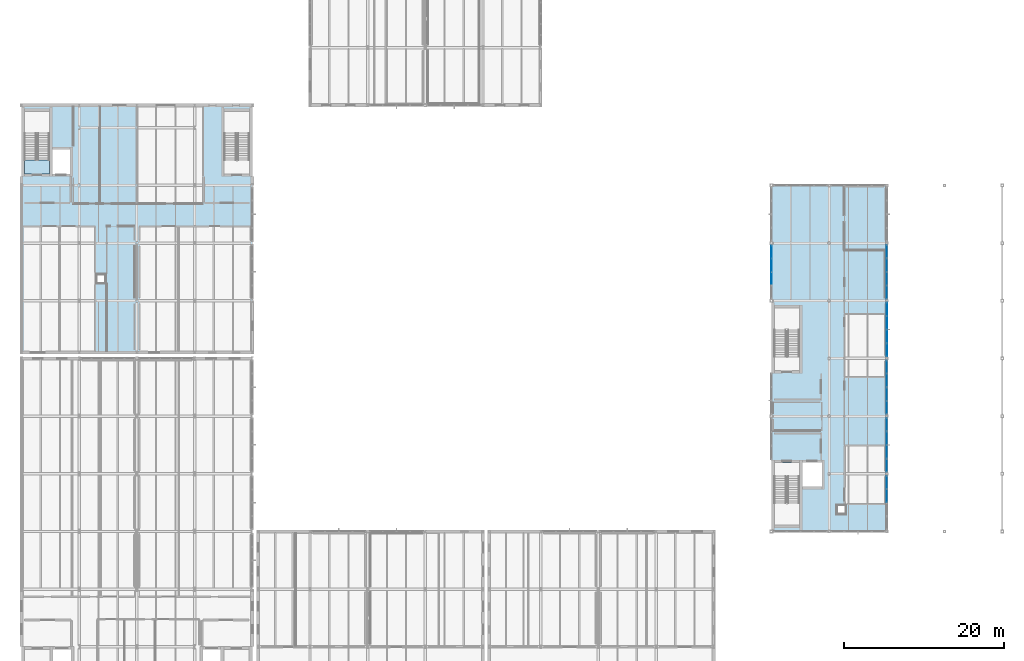
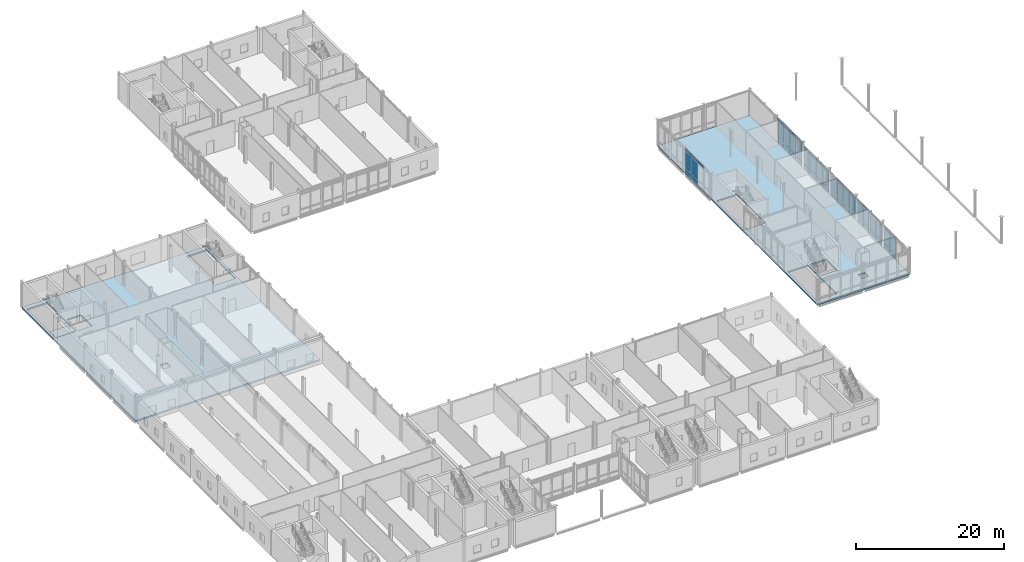
# One storey, part 39 of 76: 61 plates, 3 slabs, 6 elements without a shape of their own.
"""IFC4 building model written with IfcOpenShell, lengths in metres."""

from ifc_helpers import new_model, si_unit, direction, frame, origin, origin_2d, place, context, subcontext, project, spatial, polyline, rectangle, outline, extrude, material, layer, layer_set, type_object, element, aggregate, save


model = new_model("IFC4")

# Units and contexts
model_context = context("Model", 3, precision=1e-05, world=origin(), true_north=direction((0.0, 1.0)))
body_context = subcontext(model_context, "Body", "Model", "MODEL_VIEW")
ifc_project = project(units=[si_unit("LENGTHUNIT", "METRE"), si_unit("AREAUNIT", "SQUARE_METRE"), si_unit("VOLUMEUNIT", "CUBIC_METRE"), si_unit("PLANEANGLEUNIT", "RADIAN"), si_unit("MASSUNIT", "GRAM", prefix="KILO")], contexts=[model_context])

# Site, building, storey
site_placement = place(None, origin())
site = spatial("IfcSite", under=ifc_project, at=site_placement, CompositionType="ELEMENT")
building_placement = place(site_placement, origin())
building = spatial("IfcBuilding", under=site, at=building_placement, Name="Zarrinpeak Specialist Clinic", CompositionType="ELEMENT")
storey_placement = place(building_placement, frame((0.0, 0.0, 5.199951171875)))
storey = spatial("IfcBuildingStorey", under=building, at=storey_placement, Name="L01", CompositionType="ELEMENT", Elevation=5.199951171875)

# Curtain wall, plates
ifc_material_1 = material(Name="Anodised Aluminium Alloy 6063-T6", Category="aluminium")
ifc_layer_1 = layer(ifc_material_1, 0.199951171875)
ifc_layer_set_1 = layer_set([ifc_layer_1], Name="Anodised Aluminium Alloy 6063-T6")
curtain_wall_type = type_object("IfcCurtainWallType", Name="CW-HALL", PredefinedType="NOTDEFINED", material=ifc_layer_set_1)
curtain_wall_1_placement = place(storey_placement, origin())
curtain_wall_1 = element("IfcCurtainWall", 1, at=curtain_wall_1_placement, inside=storey, type_object=curtain_wall_type, Name="L01 V3 Unitised Curtain Wall CW-L01-V3-103", PredefinedType="NOTDEFINED")
ifc_material_2 = material(Name="Double Low-E Insulated Glazing", Category="glass")
ifc_layer_2 = layer(ifc_material_2, 0.028076171875)
ifc_layer_set_2 = layer_set([ifc_layer_2], Name="Double Low-E Insulated Glazing")
plate_type_1 = type_object("IfcPlateType", Name="CWP-GLZ28", PredefinedType="CURTAIN_PANEL", material=ifc_layer_set_2)
plate_1_placement = place(storey_placement, frame((93.60009765625, 63.706298828125, 0.09033203125), z_axis=(0.0, 0.0, 1.0), x_axis=(0.0, -1.0, 0.0)))
plate_1 = element("IfcPlate", 2, at=plate_1_placement, type_object=plate_type_1, Name="CW-02 panel 1.1", PredefinedType="CURTAIN_PANEL", context=body_context, shape_type="SweptSolid", body=[
    extrude(rectangle(XDim=1.55078125, YDim=0.028076171875, at=origin_2d()), origin(), (0.0, 0.0, 1.0), 0.764892578125),
])
plate_2_placement = place(storey_placement, frame((93.60009765625, 63.706298828125, 0.945068359375), z_axis=(0.0, 0.0, 1.0), x_axis=(0.0, -1.0, 0.0)))
plate_2 = element("IfcPlate", 3, at=plate_2_placement, type_object=plate_type_1, Name="CW-02 panel 1.2", PredefinedType="CURTAIN_PANEL", context=body_context, shape_type="SweptSolid", body=[
    extrude(rectangle(XDim=1.55078125, YDim=0.028076171875, at=origin_2d()), origin(), (0.0, 0.0, 1.0), 2.7451171875),
])
plate_3_placement = place(storey_placement, frame((93.60009765625, 63.706298828125, 3.780029296875), z_axis=(0.0, 0.0, 1.0), x_axis=(0.0, -1.0, 0.0)))
plate_3 = element("IfcPlate", 4, at=plate_3_placement, type_object=plate_type_1, Name="CW-02 panel 1.3", PredefinedType="CURTAIN_PANEL", context=body_context, shape_type="SweptSolid", body=[
    extrude(rectangle(XDim=1.55078125, YDim=0.028076171875, at=origin_2d()), origin(), (0.0, 0.0, 1.0), 0.31494140625),
])
plate_4_placement = place(storey_placement, frame((93.60009765625, 62.04296875, 0.09033203125), z_axis=(0.0, 0.0, 1.0), x_axis=(0.0, -1.0, 0.0)))
plate_4 = element("IfcPlate", 5, at=plate_4_placement, type_object=plate_type_1, Name="CW-02 panel 2.1", PredefinedType="CURTAIN_PANEL", context=body_context, shape_type="SweptSolid", body=[
    extrude(rectangle(XDim=1.595947265625, YDim=0.028076171875, at=origin_2d()), origin(), (0.0, 0.0, 1.0), 0.764892578125),
])
plate_5_placement = place(storey_placement, frame((93.60009765625, 62.04296875, 0.945068359375), z_axis=(0.0, 0.0, 1.0), x_axis=(0.0, -1.0, 0.0)))
plate_5 = element("IfcPlate", 6, at=plate_5_placement, type_object=plate_type_1, Name="CW-02 panel 2.2", PredefinedType="CURTAIN_PANEL", context=body_context, shape_type="SweptSolid", body=[
    extrude(rectangle(XDim=1.595947265625, YDim=0.028076171875, at=origin_2d()), origin(), (0.0, 0.0, 1.0), 2.7451171875),
])
plate_6_placement = place(storey_placement, frame((93.60009765625, 62.04296875, 3.780029296875), z_axis=(0.0, 0.0, 1.0), x_axis=(0.0, -1.0, 0.0)))
plate_6 = element("IfcPlate", 7, at=plate_6_placement, type_object=plate_type_1, Name="CW-02 panel 2.3", PredefinedType="CURTAIN_PANEL", context=body_context, shape_type="SweptSolid", body=[
    extrude(rectangle(XDim=1.595947265625, YDim=0.028076171875, at=origin_2d()), origin(), (0.0, 0.0, 1.0), 0.31494140625),
])
plate_7_placement = place(storey_placement, frame((93.60009765625, 60.35693359375, 3.780029296875), z_axis=(0.0, 0.0, 1.0), x_axis=(0.0, -1.0, 0.0)))
plate_7 = element("IfcPlate", 8, at=plate_7_placement, type_object=plate_type_1, Name="CW-02 panel 3.3", PredefinedType="CURTAIN_PANEL", context=body_context, shape_type="SweptSolid", body=[
    extrude(rectangle(XDim=1.595947265625, YDim=0.028076171875, at=origin_2d()), origin(), (0.0, 0.0, 1.0), 0.31494140625),
])
aggregate(curtain_wall_1, [plate_1, plate_2, plate_3, plate_4, plate_5, plate_6, plate_7])

curtain_wall_2_placement = place(storey_placement, origin())
curtain_wall_2 = element("IfcCurtainWall", 9, at=curtain_wall_2_placement, inside=storey, type_object=curtain_wall_type, Name="L01 V3 Unitised Curtain Wall CW-L01-V3-105", PredefinedType="NOTDEFINED")
plate_8_placement = place(storey_placement, frame((108.0, 33.253173828125, 0.09033203125), z_axis=(0.0, 0.0, 1.0), x_axis=(0.0, 1.0, 0.0)))
plate_8 = element("IfcPlate", 10, at=plate_8_placement, type_object=plate_type_1, Name="CW-02 panel 3.1", PredefinedType="CURTAIN_PANEL", context=body_context, shape_type="SweptSolid", body=[
    extrude(rectangle(XDim=1.616455078125, YDim=0.028076171875, at=origin_2d()), origin(), (0.0, 0.0, 1.0), 0.764892578125),
])
plate_9_placement = place(storey_placement, frame((108.0, 33.253173828125, 0.945068359375), z_axis=(0.0, 0.0, 1.0), x_axis=(0.0, 1.0, 0.0)))
plate_9 = element("IfcPlate", 11, at=plate_9_placement, type_object=plate_type_1, Name="CW-02 panel 3.2", PredefinedType="CURTAIN_PANEL", context=body_context, shape_type="SweptSolid", body=[
    extrude(rectangle(XDim=1.616455078125, YDim=0.028076171875, at=origin_2d()), origin(), (0.0, 0.0, 1.0), 2.3701171875),
])
plate_10_placement = place(storey_placement, frame((108.0, 33.253173828125, 3.405029296875), z_axis=(0.0, 0.0, 1.0), x_axis=(0.0, 1.0, 0.0)))
plate_10 = element("IfcPlate", 12, at=plate_10_placement, type_object=plate_type_1, Name="CW-02 panel 3.3", PredefinedType="CURTAIN_PANEL", context=body_context, shape_type="SweptSolid", body=[
    extrude(rectangle(XDim=1.616455078125, YDim=0.028076171875, at=origin_2d()), origin(), (0.0, 0.0, 1.0), 0.31494140625),
])
plate_11_placement = place(storey_placement, frame((108.0, 34.937255859375, 0.09033203125), z_axis=(0.0, 0.0, 1.0), x_axis=(0.0, 1.0, 0.0)))
plate_11 = element("IfcPlate", 13, at=plate_11_placement, type_object=plate_type_1, Name="CW-02 panel 4.1", PredefinedType="CURTAIN_PANEL", context=body_context, shape_type="SweptSolid", body=[
    extrude(rectangle(XDim=1.571533203125, YDim=0.028076171875, at=origin_2d()), origin(), (0.0, 0.0, 1.0), 0.764892578125),
])
plate_12_placement = place(storey_placement, frame((108.0, 34.937255859375, 0.945068359375), z_axis=(0.0, 0.0, 1.0), x_axis=(0.0, 1.0, 0.0)))
plate_12 = element("IfcPlate", 14, at=plate_12_placement, type_object=plate_type_1, Name="CW-02 panel 4.2", PredefinedType="CURTAIN_PANEL", context=body_context, shape_type="SweptSolid", body=[
    extrude(rectangle(XDim=1.571533203125, YDim=0.028076171875, at=origin_2d()), origin(), (0.0, 0.0, 1.0), 2.3701171875),
])
plate_13_placement = place(storey_placement, frame((108.0, 34.937255859375, 3.405029296875), z_axis=(0.0, 0.0, 1.0), x_axis=(0.0, 1.0, 0.0)))
plate_13 = element("IfcPlate", 15, at=plate_13_placement, type_object=plate_type_1, Name="CW-02 panel 4.3", PredefinedType="CURTAIN_PANEL", context=body_context, shape_type="SweptSolid", body=[
    extrude(rectangle(XDim=1.571533203125, YDim=0.028076171875, at=origin_2d()), origin(), (0.0, 0.0, 1.0), 0.31494140625),
])
aggregate(curtain_wall_2, [plate_8, plate_9, plate_10, plate_11, plate_12, plate_13])

curtain_wall_3_placement = place(storey_placement, origin())
curtain_wall_3 = element("IfcCurtainWall", 16, at=curtain_wall_3_placement, inside=storey, type_object=curtain_wall_type, Name="L01 V3 Unitised Curtain Wall CW-L01-V3-106", PredefinedType="NOTDEFINED")
plate_14_placement = place(storey_placement, frame((108.0, 37.062744140625, 0.09033203125), z_axis=(0.0, 0.0, 1.0), x_axis=(0.0, 1.0, 0.0)))
plate_14 = element("IfcPlate", 17, at=plate_14_placement, type_object=plate_type_1, Name="CW-02 panel 1.1", PredefinedType="CURTAIN_PANEL", context=body_context, shape_type="SweptSolid", body=[
    extrude(rectangle(XDim=1.571533203125, YDim=0.028076171875, at=origin_2d()), origin(), (0.0, 0.0, 1.0), 0.764892578125),
])
plate_15_placement = place(storey_placement, frame((108.0, 37.062744140625, 0.945068359375), z_axis=(0.0, 0.0, 1.0), x_axis=(0.0, 1.0, 0.0)))
plate_15 = element("IfcPlate", 18, at=plate_15_placement, type_object=plate_type_1, Name="CW-02 panel 1.2", PredefinedType="CURTAIN_PANEL", context=body_context, shape_type="SweptSolid", body=[
    extrude(rectangle(XDim=1.571533203125, YDim=0.028076171875, at=origin_2d()), origin(), (0.0, 0.0, 1.0), 2.3701171875),
])
plate_16_placement = place(storey_placement, frame((108.0, 37.062744140625, 3.405029296875), z_axis=(0.0, 0.0, 1.0), x_axis=(0.0, 1.0, 0.0)))
plate_16 = element("IfcPlate", 19, at=plate_16_placement, type_object=plate_type_1, Name="CW-02 panel 1.3", PredefinedType="CURTAIN_PANEL", context=body_context, shape_type="SweptSolid", body=[
    extrude(rectangle(XDim=1.571533203125, YDim=0.028076171875, at=origin_2d()), origin(), (0.0, 0.0, 1.0), 0.31494140625),
])
plate_17_placement = place(storey_placement, frame((108.0, 38.746826171875, 0.09033203125), z_axis=(0.0, 0.0, 1.0), x_axis=(0.0, 1.0, 0.0)))
plate_17 = element("IfcPlate", 20, at=plate_17_placement, type_object=plate_type_1, Name="CW-02 panel 2.1", PredefinedType="CURTAIN_PANEL", context=body_context, shape_type="SweptSolid", body=[
    extrude(rectangle(XDim=1.616455078125, YDim=0.028076171875, at=origin_2d()), origin(), (0.0, 0.0, 1.0), 0.764892578125),
])
plate_18_placement = place(storey_placement, frame((108.0, 38.746826171875, 0.945068359375), z_axis=(0.0, 0.0, 1.0), x_axis=(0.0, 1.0, 0.0)))
plate_18 = element("IfcPlate", 21, at=plate_18_placement, type_object=plate_type_1, Name="CW-02 panel 2.2", PredefinedType="CURTAIN_PANEL", context=body_context, shape_type="SweptSolid", body=[
    extrude(rectangle(XDim=1.616455078125, YDim=0.028076171875, at=origin_2d()), origin(), (0.0, 0.0, 1.0), 2.3701171875),
])
plate_19_placement = place(storey_placement, frame((108.0, 38.746826171875, 3.405029296875), z_axis=(0.0, 0.0, 1.0), x_axis=(0.0, 1.0, 0.0)))
plate_19 = element("IfcPlate", 22, at=plate_19_placement, type_object=plate_type_1, Name="CW-02 panel 2.3", PredefinedType="CURTAIN_PANEL", context=body_context, shape_type="SweptSolid", body=[
    extrude(rectangle(XDim=1.616455078125, YDim=0.028076171875, at=origin_2d()), origin(), (0.0, 0.0, 1.0), 0.31494140625),
])
plate_20_placement = place(storey_placement, frame((108.0, 40.453369140625, 0.09033203125), z_axis=(0.0, 0.0, 1.0), x_axis=(0.0, 1.0, 0.0)))
plate_20 = element("IfcPlate", 23, at=plate_20_placement, type_object=plate_type_1, Name="CW-02 panel 3.1", PredefinedType="CURTAIN_PANEL", context=body_context, shape_type="SweptSolid", body=[
    extrude(rectangle(XDim=1.616455078125, YDim=0.028076171875, at=origin_2d()), origin(), (0.0, 0.0, 1.0), 0.764892578125),
])
plate_21_placement = place(storey_placement, frame((108.0, 40.453369140625, 0.945068359375), z_axis=(0.0, 0.0, 1.0), x_axis=(0.0, 1.0, 0.0)))
plate_21 = element("IfcPlate", 24, at=plate_21_placement, type_object=plate_type_1, Name="CW-02 panel 3.2", PredefinedType="CURTAIN_PANEL", context=body_context, shape_type="SweptSolid", body=[
    extrude(rectangle(XDim=1.616455078125, YDim=0.028076171875, at=origin_2d()), origin(), (0.0, 0.0, 1.0), 2.3701171875),
])
plate_22_placement = place(storey_placement, frame((108.0, 40.453369140625, 3.405029296875), z_axis=(0.0, 0.0, 1.0), x_axis=(0.0, 1.0, 0.0)))
plate_22 = element("IfcPlate", 25, at=plate_22_placement, type_object=plate_type_1, Name="CW-02 panel 3.3", PredefinedType="CURTAIN_PANEL", context=body_context, shape_type="SweptSolid", body=[
    extrude(rectangle(XDim=1.616455078125, YDim=0.028076171875, at=origin_2d()), origin(), (0.0, 0.0, 1.0), 0.31494140625),
])
plate_23_placement = place(storey_placement, frame((108.0, 42.13720703125, 0.09033203125), z_axis=(0.0, 0.0, 1.0), x_axis=(0.0, 1.0, 0.0)))
plate_23 = element("IfcPlate", 26, at=plate_23_placement, type_object=plate_type_1, Name="CW-02 panel 4.1", PredefinedType="CURTAIN_PANEL", context=body_context, shape_type="SweptSolid", body=[
    extrude(rectangle(XDim=1.571533203125, YDim=0.028076171875, at=origin_2d()), origin(), (0.0, 0.0, 1.0), 0.764892578125),
])
plate_24_placement = place(storey_placement, frame((108.0, 42.13720703125, 0.945068359375), z_axis=(0.0, 0.0, 1.0), x_axis=(0.0, 1.0, 0.0)))
plate_24 = element("IfcPlate", 27, at=plate_24_placement, type_object=plate_type_1, Name="CW-02 panel 4.2", PredefinedType="CURTAIN_PANEL", context=body_context, shape_type="SweptSolid", body=[
    extrude(rectangle(XDim=1.571533203125, YDim=0.028076171875, at=origin_2d()), origin(), (0.0, 0.0, 1.0), 2.3701171875),
])
plate_25_placement = place(storey_placement, frame((108.0, 42.13720703125, 3.405029296875), z_axis=(0.0, 0.0, 1.0), x_axis=(0.0, 1.0, 0.0)))
plate_25 = element("IfcPlate", 28, at=plate_25_placement, type_object=plate_type_1, Name="CW-02 panel 4.3", PredefinedType="CURTAIN_PANEL", context=body_context, shape_type="SweptSolid", body=[
    extrude(rectangle(XDim=1.571533203125, YDim=0.028076171875, at=origin_2d()), origin(), (0.0, 0.0, 1.0), 0.31494140625),
])
aggregate(curtain_wall_3, [plate_14, plate_15, plate_16, plate_17, plate_18, plate_19, plate_20, plate_21, plate_22, plate_23, plate_24, plate_25])

curtain_wall_4_placement = place(storey_placement, origin())
curtain_wall_4 = element("IfcCurtainWall", 29, at=curtain_wall_4_placement, inside=storey, type_object=curtain_wall_type, Name="L01 V3 Unitised Curtain Wall CW-L01-V3-107", PredefinedType="NOTDEFINED")
plate_26_placement = place(storey_placement, frame((108.0, 44.2626953125, 0.09033203125), z_axis=(0.0, 0.0, 1.0), x_axis=(0.0, 1.0, 0.0)))
plate_26 = element("IfcPlate", 30, at=plate_26_placement, type_object=plate_type_1, Name="CW-02 panel 1.1", PredefinedType="CURTAIN_PANEL", context=body_context, shape_type="SweptSolid", body=[
    extrude(rectangle(XDim=1.571533203125, YDim=0.028076171875, at=origin_2d()), origin(), (0.0, 0.0, 1.0), 0.764892578125),
])
plate_27_placement = place(storey_placement, frame((108.0, 44.2626953125, 0.945068359375), z_axis=(0.0, 0.0, 1.0), x_axis=(0.0, 1.0, 0.0)))
plate_27 = element("IfcPlate", 31, at=plate_27_placement, type_object=plate_type_1, Name="CW-02 panel 1.2", PredefinedType="CURTAIN_PANEL", context=body_context, shape_type="SweptSolid", body=[
    extrude(rectangle(XDim=1.571533203125, YDim=0.028076171875, at=origin_2d()), origin(), (0.0, 0.0, 1.0), 2.3701171875),
])
plate_28_placement = place(storey_placement, frame((108.0, 44.2626953125, 3.405029296875), z_axis=(0.0, 0.0, 1.0), x_axis=(0.0, 1.0, 0.0)))
plate_28 = element("IfcPlate", 32, at=plate_28_placement, type_object=plate_type_1, Name="CW-02 panel 1.3", PredefinedType="CURTAIN_PANEL", context=body_context, shape_type="SweptSolid", body=[
    extrude(rectangle(XDim=1.571533203125, YDim=0.028076171875, at=origin_2d()), origin(), (0.0, 0.0, 1.0), 0.31494140625),
])
plate_29_placement = place(storey_placement, frame((108.0, 45.94677734375, 0.09033203125), z_axis=(0.0, 0.0, 1.0), x_axis=(0.0, 1.0, 0.0)))
plate_29 = element("IfcPlate", 33, at=plate_29_placement, type_object=plate_type_1, Name="CW-02 panel 2.1", PredefinedType="CURTAIN_PANEL", context=body_context, shape_type="SweptSolid", body=[
    extrude(rectangle(XDim=1.616455078125, YDim=0.028076171875, at=origin_2d()), origin(), (0.0, 0.0, 1.0), 0.764892578125),
])
plate_30_placement = place(storey_placement, frame((108.0, 45.94677734375, 0.945068359375), z_axis=(0.0, 0.0, 1.0), x_axis=(0.0, 1.0, 0.0)))
plate_30 = element("IfcPlate", 34, at=plate_30_placement, type_object=plate_type_1, Name="CW-02 panel 2.2", PredefinedType="CURTAIN_PANEL", context=body_context, shape_type="SweptSolid", body=[
    extrude(rectangle(XDim=1.616455078125, YDim=0.028076171875, at=origin_2d()), origin(), (0.0, 0.0, 1.0), 2.3701171875),
])
plate_31_placement = place(storey_placement, frame((108.0, 45.94677734375, 3.405029296875), z_axis=(0.0, 0.0, 1.0), x_axis=(0.0, 1.0, 0.0)))
plate_31 = element("IfcPlate", 35, at=plate_31_placement, type_object=plate_type_1, Name="CW-02 panel 2.3", PredefinedType="CURTAIN_PANEL", context=body_context, shape_type="SweptSolid", body=[
    extrude(rectangle(XDim=1.616455078125, YDim=0.028076171875, at=origin_2d()), origin(), (0.0, 0.0, 1.0), 0.31494140625),
])
plate_32_placement = place(storey_placement, frame((108.0, 47.6533203125, 0.09033203125), z_axis=(0.0, 0.0, 1.0), x_axis=(0.0, 1.0, 0.0)))
plate_32 = element("IfcPlate", 36, at=plate_32_placement, type_object=plate_type_1, Name="CW-02 panel 3.1", PredefinedType="CURTAIN_PANEL", context=body_context, shape_type="SweptSolid", body=[
    extrude(rectangle(XDim=1.616455078125, YDim=0.028076171875, at=origin_2d()), origin(), (0.0, 0.0, 1.0), 0.764892578125),
])
plate_33_placement = place(storey_placement, frame((108.0, 47.6533203125, 0.945068359375), z_axis=(0.0, 0.0, 1.0), x_axis=(0.0, 1.0, 0.0)))
plate_33 = element("IfcPlate", 37, at=plate_33_placement, type_object=plate_type_1, Name="CW-02 panel 3.2", PredefinedType="CURTAIN_PANEL", context=body_context, shape_type="SweptSolid", body=[
    extrude(rectangle(XDim=1.616455078125, YDim=0.028076171875, at=origin_2d()), origin(), (0.0, 0.0, 1.0), 2.3701171875),
])
plate_34_placement = place(storey_placement, frame((108.0, 47.6533203125, 3.405029296875), z_axis=(0.0, 0.0, 1.0), x_axis=(0.0, 1.0, 0.0)))
plate_34 = element("IfcPlate", 38, at=plate_34_placement, type_object=plate_type_1, Name="CW-02 panel 3.3", PredefinedType="CURTAIN_PANEL", context=body_context, shape_type="SweptSolid", body=[
    extrude(rectangle(XDim=1.616455078125, YDim=0.028076171875, at=origin_2d()), origin(), (0.0, 0.0, 1.0), 0.31494140625),
])
plate_35_placement = place(storey_placement, frame((108.0, 49.337158203125, 0.09033203125), z_axis=(0.0, 0.0, 1.0), x_axis=(0.0, 1.0, 0.0)))
plate_35 = element("IfcPlate", 39, at=plate_35_placement, type_object=plate_type_1, Name="CW-02 panel 4.1", PredefinedType="CURTAIN_PANEL", context=body_context, shape_type="SweptSolid", body=[
    extrude(rectangle(XDim=1.571533203125, YDim=0.028076171875, at=origin_2d()), origin(), (0.0, 0.0, 1.0), 0.764892578125),
])
plate_36_placement = place(storey_placement, frame((108.0, 49.337158203125, 0.945068359375), z_axis=(0.0, 0.0, 1.0), x_axis=(0.0, 1.0, 0.0)))
plate_36 = element("IfcPlate", 40, at=plate_36_placement, type_object=plate_type_1, Name="CW-02 panel 4.2", PredefinedType="CURTAIN_PANEL", context=body_context, shape_type="SweptSolid", body=[
    extrude(rectangle(XDim=1.571533203125, YDim=0.028076171875, at=origin_2d()), origin(), (0.0, 0.0, 1.0), 2.3701171875),
])
plate_37_placement = place(storey_placement, frame((108.0, 49.337158203125, 3.405029296875), z_axis=(0.0, 0.0, 1.0), x_axis=(0.0, 1.0, 0.0)))
plate_37 = element("IfcPlate", 41, at=plate_37_placement, type_object=plate_type_1, Name="CW-02 panel 4.3", PredefinedType="CURTAIN_PANEL", context=body_context, shape_type="SweptSolid", body=[
    extrude(rectangle(XDim=1.571533203125, YDim=0.028076171875, at=origin_2d()), origin(), (0.0, 0.0, 1.0), 0.31494140625),
])
aggregate(curtain_wall_4, [plate_26, plate_27, plate_28, plate_29, plate_30, plate_31, plate_32, plate_33, plate_34, plate_35, plate_36, plate_37])

curtain_wall_5_placement = place(storey_placement, origin())
curtain_wall_5 = element("IfcCurtainWall", 42, at=curtain_wall_5_placement, inside=storey, type_object=curtain_wall_type, Name="L01 V3 Unitised Curtain Wall CW-L01-V3-109", PredefinedType="NOTDEFINED")
plate_38_placement = place(storey_placement, frame((108.0, 58.662841796875, 0.09033203125), z_axis=(0.0, 0.0, 1.0), x_axis=(0.0, 1.0, 0.0)))
plate_38 = element("IfcPlate", 43, at=plate_38_placement, type_object=plate_type_1, Name="CW-02 panel 1.1", PredefinedType="CURTAIN_PANEL", context=body_context, shape_type="SweptSolid", body=[
    extrude(rectangle(XDim=1.571533203125, YDim=0.028076171875, at=origin_2d()), origin(), (0.0, 0.0, 1.0), 0.764892578125),
])
plate_39_placement = place(storey_placement, frame((108.0, 58.662841796875, 0.945068359375), z_axis=(0.0, 0.0, 1.0), x_axis=(0.0, 1.0, 0.0)))
plate_39 = element("IfcPlate", 44, at=plate_39_placement, type_object=plate_type_1, Name="CW-02 panel 1.2", PredefinedType="CURTAIN_PANEL", context=body_context, shape_type="SweptSolid", body=[
    extrude(rectangle(XDim=1.571533203125, YDim=0.028076171875, at=origin_2d()), origin(), (0.0, 0.0, 1.0), 2.7451171875),
])
plate_40_placement = place(storey_placement, frame((108.0, 58.662841796875, 3.780029296875), z_axis=(0.0, 0.0, 1.0), x_axis=(0.0, 1.0, 0.0)))
plate_40 = element("IfcPlate", 45, at=plate_40_placement, type_object=plate_type_1, Name="CW-02 panel 1.3", PredefinedType="CURTAIN_PANEL", context=body_context, shape_type="SweptSolid", body=[
    extrude(rectangle(XDim=1.571533203125, YDim=0.028076171875, at=origin_2d()), origin(), (0.0, 0.0, 1.0), 0.31494140625),
])
plate_41_placement = place(storey_placement, frame((108.0, 60.3466796875, 0.09033203125), z_axis=(0.0, 0.0, 1.0), x_axis=(0.0, 1.0, 0.0)))
plate_41 = element("IfcPlate", 46, at=plate_41_placement, type_object=plate_type_1, Name="CW-02 panel 2.1", PredefinedType="CURTAIN_PANEL", context=body_context, shape_type="SweptSolid", body=[
    extrude(rectangle(XDim=1.616455078125, YDim=0.028076171875, at=origin_2d()), origin(), (0.0, 0.0, 1.0), 0.764892578125),
])
plate_42_placement = place(storey_placement, frame((108.0, 60.3466796875, 0.945068359375), z_axis=(0.0, 0.0, 1.0), x_axis=(0.0, 1.0, 0.0)))
plate_42 = element("IfcPlate", 47, at=plate_42_placement, type_object=plate_type_1, Name="CW-02 panel 2.2", PredefinedType="CURTAIN_PANEL", context=body_context, shape_type="SweptSolid", body=[
    extrude(rectangle(XDim=1.616455078125, YDim=0.028076171875, at=origin_2d()), origin(), (0.0, 0.0, 1.0), 2.7451171875),
])
plate_43_placement = place(storey_placement, frame((108.0, 60.3466796875, 3.780029296875), z_axis=(0.0, 0.0, 1.0), x_axis=(0.0, 1.0, 0.0)))
plate_43 = element("IfcPlate", 48, at=plate_43_placement, type_object=plate_type_1, Name="CW-02 panel 2.3", PredefinedType="CURTAIN_PANEL", context=body_context, shape_type="SweptSolid", body=[
    extrude(rectangle(XDim=1.616455078125, YDim=0.028076171875, at=origin_2d()), origin(), (0.0, 0.0, 1.0), 0.31494140625),
])
plate_44_placement = place(storey_placement, frame((108.0, 62.05322265625, 0.09033203125), z_axis=(0.0, 0.0, 1.0), x_axis=(0.0, 1.0, 0.0)))
plate_44 = element("IfcPlate", 49, at=plate_44_placement, type_object=plate_type_1, Name="CW-02 panel 3.1", PredefinedType="CURTAIN_PANEL", context=body_context, shape_type="SweptSolid", body=[
    extrude(rectangle(XDim=1.616455078125, YDim=0.028076171875, at=origin_2d()), origin(), (0.0, 0.0, 1.0), 0.764892578125),
])
plate_45_placement = place(storey_placement, frame((108.0, 62.05322265625, 0.945068359375), z_axis=(0.0, 0.0, 1.0), x_axis=(0.0, 1.0, 0.0)))
plate_45 = element("IfcPlate", 50, at=plate_45_placement, type_object=plate_type_1, Name="CW-02 panel 3.2", PredefinedType="CURTAIN_PANEL", context=body_context, shape_type="SweptSolid", body=[
    extrude(rectangle(XDim=1.616455078125, YDim=0.028076171875, at=origin_2d()), origin(), (0.0, 0.0, 1.0), 2.7451171875),
])
plate_46_placement = place(storey_placement, frame((108.0, 62.05322265625, 3.780029296875), z_axis=(0.0, 0.0, 1.0), x_axis=(0.0, 1.0, 0.0)))
plate_46 = element("IfcPlate", 51, at=plate_46_placement, type_object=plate_type_1, Name="CW-02 panel 3.3", PredefinedType="CURTAIN_PANEL", context=body_context, shape_type="SweptSolid", body=[
    extrude(rectangle(XDim=1.616455078125, YDim=0.028076171875, at=origin_2d()), origin(), (0.0, 0.0, 1.0), 0.31494140625),
])
plate_47_placement = place(storey_placement, frame((108.0, 63.7373046875, 0.09033203125), z_axis=(0.0, 0.0, 1.0), x_axis=(0.0, 1.0, 0.0)))
plate_47 = element("IfcPlate", 52, at=plate_47_placement, type_object=plate_type_1, Name="CW-02 panel 4.1", PredefinedType="CURTAIN_PANEL", context=body_context, shape_type="SweptSolid", body=[
    extrude(rectangle(XDim=1.571533203125, YDim=0.028076171875, at=origin_2d()), origin(), (0.0, 0.0, 1.0), 0.764892578125),
])
plate_48_placement = place(storey_placement, frame((108.0, 63.7373046875, 0.945068359375), z_axis=(0.0, 0.0, 1.0), x_axis=(0.0, 1.0, 0.0)))
plate_48 = element("IfcPlate", 53, at=plate_48_placement, type_object=plate_type_1, Name="CW-02 panel 4.2", PredefinedType="CURTAIN_PANEL", context=body_context, shape_type="SweptSolid", body=[
    extrude(rectangle(XDim=1.571533203125, YDim=0.028076171875, at=origin_2d()), origin(), (0.0, 0.0, 1.0), 2.7451171875),
])
plate_49_placement = place(storey_placement, frame((108.0, 63.7373046875, 3.780029296875), z_axis=(0.0, 0.0, 1.0), x_axis=(0.0, 1.0, 0.0)))
plate_49 = element("IfcPlate", 54, at=plate_49_placement, type_object=plate_type_1, Name="CW-02 panel 4.3", PredefinedType="CURTAIN_PANEL", context=body_context, shape_type="SweptSolid", body=[
    extrude(rectangle(XDim=1.571533203125, YDim=0.028076171875, at=origin_2d()), origin(), (0.0, 0.0, 1.0), 0.31494140625),
])
aggregate(curtain_wall_5, [plate_38, plate_39, plate_40, plate_41, plate_42, plate_43, plate_44, plate_45, plate_46, plate_47, plate_48, plate_49])

curtain_wall_6_placement = place(storey_placement, origin())
curtain_wall_6 = element("IfcCurtainWall", 55, at=curtain_wall_6_placement, inside=storey, type_object=curtain_wall_type, Name="L01 V3 Unitised Curtain Wall CW-L01-V3-108", PredefinedType="NOTDEFINED")
ifc_material_3 = material(Name="Insulated Aluminium Spandrel Panel", Category="aluminium")
ifc_layer_3 = layer(ifc_material_3, 0.044921875)
ifc_layer_set_3 = layer_set([ifc_layer_3], Name="Insulated Aluminium Spandrel Panel")
plate_type_2 = type_object("IfcPlateType", Name="CWP-SPN45", PredefinedType="CURTAIN_PANEL", material=ifc_layer_set_3)
plate_50_placement = place(storey_placement, frame((108.0, 51.462646484375, 0.09033203125), z_axis=(0.0, 0.0, 1.0), x_axis=(0.0, 1.0, 0.0)))
plate_50 = element("IfcPlate", 56, at=plate_50_placement, type_object=plate_type_2, Name="CW-02 panel 1.1", PredefinedType="CURTAIN_PANEL", context=body_context, shape_type="SweptSolid", body=[
    extrude(rectangle(XDim=1.571533203125, YDim=0.044921875, at=origin_2d()), origin(), (0.0, 0.0, 1.0), 0.764892578125),
])
plate_51_placement = place(storey_placement, frame((108.0, 51.462646484375, 0.945068359375), z_axis=(0.0, 0.0, 1.0), x_axis=(0.0, 1.0, 0.0)))
plate_51 = element("IfcPlate", 57, at=plate_51_placement, type_object=plate_type_2, Name="CW-02 panel 1.2", PredefinedType="CURTAIN_PANEL", context=body_context, shape_type="SweptSolid", body=[
    extrude(rectangle(XDim=1.571533203125, YDim=0.044921875, at=origin_2d()), origin(), (0.0, 0.0, 1.0), 2.3701171875),
])
plate_52_placement = place(storey_placement, frame((108.0, 51.462646484375, 3.405029296875), z_axis=(0.0, 0.0, 1.0), x_axis=(0.0, 1.0, 0.0)))
plate_52 = element("IfcPlate", 58, at=plate_52_placement, type_object=plate_type_2, Name="CW-02 panel 1.3", PredefinedType="CURTAIN_PANEL", context=body_context, shape_type="SweptSolid", body=[
    extrude(rectangle(XDim=1.571533203125, YDim=0.044921875, at=origin_2d()), origin(), (0.0, 0.0, 1.0), 0.31494140625),
])
plate_53_placement = place(storey_placement, frame((108.0, 53.146728515625, 0.09033203125), z_axis=(0.0, 0.0, 1.0), x_axis=(0.0, 1.0, 0.0)))
plate_53 = element("IfcPlate", 59, at=plate_53_placement, type_object=plate_type_2, Name="CW-02 panel 2.1", PredefinedType="CURTAIN_PANEL", context=body_context, shape_type="SweptSolid", body=[
    extrude(rectangle(XDim=1.616455078125, YDim=0.044921875, at=origin_2d()), origin(), (0.0, 0.0, 1.0), 0.764892578125),
])
plate_54_placement = place(storey_placement, frame((108.0, 53.146728515625, 0.945068359375), z_axis=(0.0, 0.0, 1.0), x_axis=(0.0, 1.0, 0.0)))
plate_54 = element("IfcPlate", 60, at=plate_54_placement, type_object=plate_type_2, Name="CW-02 panel 2.2", PredefinedType="CURTAIN_PANEL", context=body_context, shape_type="SweptSolid", body=[
    extrude(rectangle(XDim=1.616455078125, YDim=0.044921875, at=origin_2d()), origin(), (0.0, 0.0, 1.0), 2.3701171875),
])
plate_55_placement = place(storey_placement, frame((108.0, 53.146728515625, 3.405029296875), z_axis=(0.0, 0.0, 1.0), x_axis=(0.0, 1.0, 0.0)))
plate_55 = element("IfcPlate", 61, at=plate_55_placement, type_object=plate_type_2, Name="CW-02 panel 2.3", PredefinedType="CURTAIN_PANEL", context=body_context, shape_type="SweptSolid", body=[
    extrude(rectangle(XDim=1.616455078125, YDim=0.044921875, at=origin_2d()), origin(), (0.0, 0.0, 1.0), 0.31494140625),
])
plate_56_placement = place(storey_placement, frame((108.0, 54.853271484375, 0.09033203125), z_axis=(0.0, 0.0, 1.0), x_axis=(0.0, 1.0, 0.0)))
plate_56 = element("IfcPlate", 62, at=plate_56_placement, type_object=plate_type_2, Name="CW-02 panel 3.1", PredefinedType="CURTAIN_PANEL", context=body_context, shape_type="SweptSolid", body=[
    extrude(rectangle(XDim=1.616455078125, YDim=0.044921875, at=origin_2d()), origin(), (0.0, 0.0, 1.0), 0.764892578125),
])
plate_57_placement = place(storey_placement, frame((108.0, 54.853271484375, 0.945068359375), z_axis=(0.0, 0.0, 1.0), x_axis=(0.0, 1.0, 0.0)))
plate_57 = element("IfcPlate", 63, at=plate_57_placement, type_object=plate_type_2, Name="CW-02 panel 3.2", PredefinedType="CURTAIN_PANEL", context=body_context, shape_type="SweptSolid", body=[
    extrude(rectangle(XDim=1.616455078125, YDim=0.044921875, at=origin_2d()), origin(), (0.0, 0.0, 1.0), 2.3701171875),
])
plate_58_placement = place(storey_placement, frame((108.0, 54.853271484375, 3.405029296875), z_axis=(0.0, 0.0, 1.0), x_axis=(0.0, 1.0, 0.0)))
plate_58 = element("IfcPlate", 64, at=plate_58_placement, type_object=plate_type_2, Name="CW-02 panel 3.3", PredefinedType="CURTAIN_PANEL", context=body_context, shape_type="SweptSolid", body=[
    extrude(rectangle(XDim=1.616455078125, YDim=0.044921875, at=origin_2d()), origin(), (0.0, 0.0, 1.0), 0.31494140625),
])
plate_59_placement = place(storey_placement, frame((108.0, 56.537353515625, 0.09033203125), z_axis=(0.0, 0.0, 1.0), x_axis=(0.0, 1.0, 0.0)))
plate_59 = element("IfcPlate", 65, at=plate_59_placement, type_object=plate_type_2, Name="CW-02 panel 4.1", PredefinedType="CURTAIN_PANEL", context=body_context, shape_type="SweptSolid", body=[
    extrude(rectangle(XDim=1.571533203125, YDim=0.044921875, at=origin_2d()), origin(), (0.0, 0.0, 1.0), 0.764892578125),
])
plate_60_placement = place(storey_placement, frame((108.0, 56.537353515625, 0.945068359375), z_axis=(0.0, 0.0, 1.0), x_axis=(0.0, 1.0, 0.0)))
plate_60 = element("IfcPlate", 66, at=plate_60_placement, type_object=plate_type_2, Name="CW-02 panel 4.2", PredefinedType="CURTAIN_PANEL", context=body_context, shape_type="SweptSolid", body=[
    extrude(rectangle(XDim=1.571533203125, YDim=0.044921875, at=origin_2d()), origin(), (0.0, 0.0, 1.0), 2.3701171875),
])
plate_61_placement = place(storey_placement, frame((108.0, 56.537353515625, 3.405029296875), z_axis=(0.0, 0.0, 1.0), x_axis=(0.0, 1.0, 0.0)))
plate_61 = element("IfcPlate", 67, at=plate_61_placement, type_object=plate_type_2, Name="CW-02 panel 4.3", PredefinedType="CURTAIN_PANEL", context=body_context, shape_type="SweptSolid", body=[
    extrude(rectangle(XDim=1.571533203125, YDim=0.044921875, at=origin_2d()), origin(), (0.0, 0.0, 1.0), 0.31494140625),
])
aggregate(curtain_wall_6, [plate_50, plate_51, plate_52, plate_53, plate_54, plate_55, plate_56, plate_57, plate_58, plate_59, plate_60, plate_61])

# Slabs
ifc_material_4 = material(Name="Concrete C35/45", Category="concrete")
ifc_layer_4 = layer(ifc_material_4, 0.22998046875)
ifc_layer_set_4 = layer_set([ifc_layer_4], Name="Concrete C35/45")
slab_type_1 = type_object("IfcSlabType", Name="SL-FLR230", PredefinedType="FLOOR", material=ifc_layer_set_4)
slab_1_placement = place(storey_placement, frame((0.0, 0.0, -0.22998046875)))
element("IfcSlab", 68, at=slab_1_placement, inside=storey, type_object=slab_type_1, Name="L01 Suspended Clinical Floor Slab V3", PredefinedType="FLOOR", context=body_context, shape_type="SweptSolid", body=[
    extrude(outline(polyline([(93.60009765625, 28.800048828125), (108.0, 28.800048828125), (108.0, 72.0), (93.60009765625, 72.0), (93.60009765625, 28.800048828125)]), holes=[polyline([(93.949951171875, 29.60009765625), (97.10009765625, 29.60009765625), (97.10009765625, 37.39990234375), (93.949951171875, 37.39990234375), (93.949951171875, 29.60009765625)]), polyline([(97.449951171875, 34.39990234375), (99.89990234375, 34.39990234375), (99.89990234375, 37.39990234375), (97.449951171875, 37.39990234375), (97.449951171875, 34.39990234375)]), polyline([(93.949951171875, 48.89990234375), (97.10009765625, 48.89990234375), (97.10009765625, 56.699951171875), (93.949951171875, 56.699951171875), (93.949951171875, 48.89990234375)]), polyline([(101.800048828125, 31.0), (102.85009765625, 31.0), (102.85009765625, 32.050048828125), (101.800048828125, 32.050048828125), (101.800048828125, 31.0)])]), origin(), (0.0, 0.0, 1.0), 0.22998046875),
])
ifc_layer_5 = layer(ifc_material_4, 0.260009765625)
ifc_layer_set_5 = layer_set([ifc_layer_5], Name="Concrete C35/45")
slab_type_2 = type_object("IfcSlabType", Name="SL-FLR260", PredefinedType="FLOOR", material=ifc_layer_set_5)
slab_2_placement = place(storey_placement, frame((0.0, 0.0, -0.260009765625)))
element("IfcSlab", 69, at=slab_2_placement, inside=storey, type_object=slab_type_2, Name="L01 Suspended Clinical Floor Slab V5", PredefinedType="FLOOR", context=body_context, shape_type="SweptSolid", body=[
    extrude(outline(polyline([(0.0, 51.1201171875), (28.800048828125, 51.1201171875), (28.800048828125, 82.0), (0.0, 82.0), (0.0, 51.1201171875)]), holes=[polyline([(0.35009765625, 73.449951171875), (3.5, 73.449951171875), (3.5, 81.25), (0.35009765625, 81.25), (0.35009765625, 73.449951171875)]), polyline([(3.85009765625, 73.449951171875), (6.050048828125, 73.449951171875), (6.050048828125, 76.449951171875), (3.85009765625, 76.449951171875), (3.85009765625, 73.449951171875)]), polyline([(25.300048828125, 73.449951171875), (28.449951171875, 73.449951171875), (28.449951171875, 81.25), (25.300048828125, 81.25), (25.300048828125, 73.449951171875)]), polyline([(9.39990234375, 59.800048828125), (10.449951171875, 59.800048828125), (10.449951171875, 60.85009765625), (9.39990234375, 60.85009765625), (9.39990234375, 59.800048828125)])]), origin(), (0.0, 0.0, 1.0), 0.260009765625),
])
slab_3_placement = place(storey_placement, frame((0.0, 0.0, -0.260009765625)))
element("IfcSlab", 70, at=slab_3_placement, inside=storey, type_object=slab_type_2, Name="L01 Core C09 Stairwell Floor Landing Slab", PredefinedType="FLOOR", context=body_context, shape_type="SweptSolid", body=[
    extrude(outline(polyline([(0.35009765625, 73.449951171875), (3.5, 73.449951171875), (3.5, 75.14990234375), (0.35009765625, 75.14990234375), (0.35009765625, 73.449951171875)])), origin(), (0.0, 0.0, 1.0), 0.260009765625),
])

save(model, "model.ifc")
